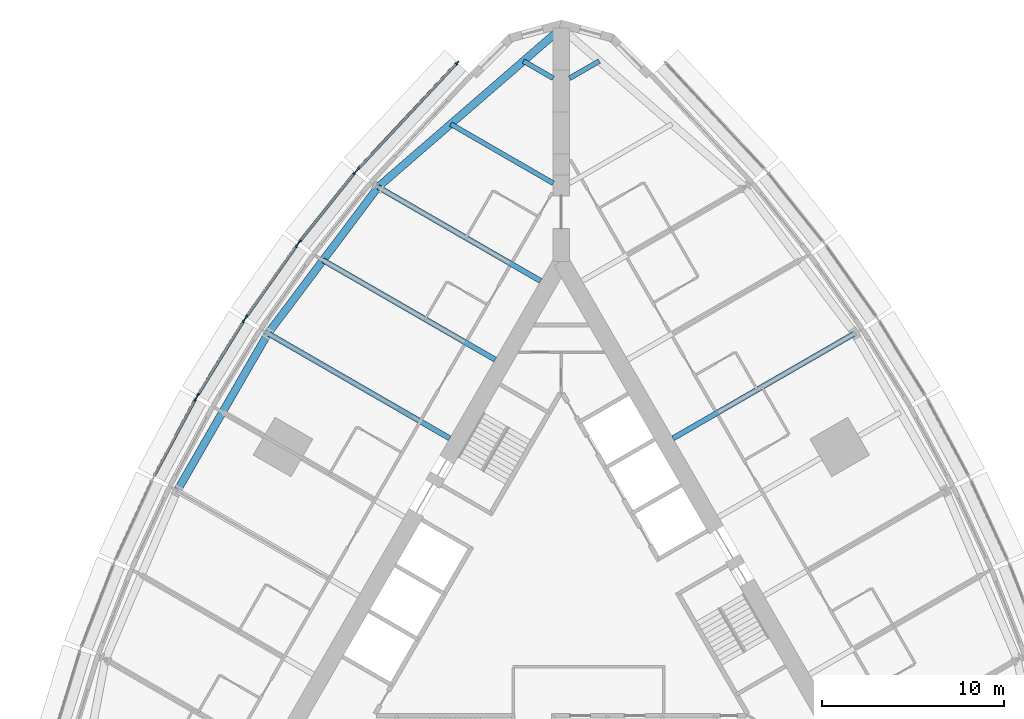
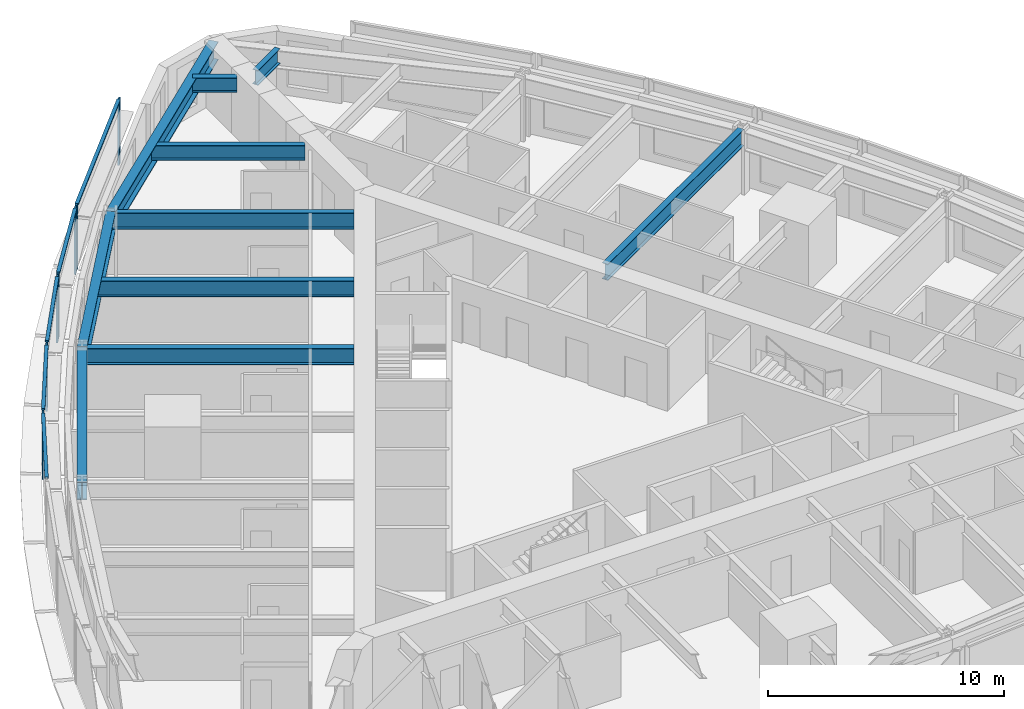
# One storey, part 4 of 14: 14 members, 10 beams, 5 elements without a shape of their own.
"""IFC4 building model written with IfcOpenShell, lengths in metres."""

import ifcopenshell
import ifcopenshell.guid

model = None  # the IFC model being written
_history = None  # IfcOwnerHistory: only IFC2X3 demands one
_inside = {}  # id of a spatial element -> (the spatial element, [elements in it])
_under = {}  # id of a project, library or spatial element -> (it, [spatial elements below it])
_declared = {}  # id of a project -> (the project, [libraries it declares])
_typed = {}  # id of a type object -> (the type object, [elements of that type])
_made_of = {}  # id of a material, layer set ... -> (it, [elements and type objects made of it])


def new_model(schema):
    """Start an empty IFC model of exactly this schema.

    Asked for "IFC4X3", IfcOpenShell would pick the latest addendum, in which some entities
    have other attributes; the version numbers below select the first issue.
    IFC2X3 requires an IfcOwnerHistory on every rooted entity: one is made here for all.
    """
    global model, _history
    if schema == "IFC4X3":
        model = ifcopenshell.file(schema_version=(4, 3, 0, 0))
    else:
        model = ifcopenshell.file(schema=schema)
    _inside.clear()
    _under.clear()
    _declared.clear()
    _typed.clear()
    _made_of.clear()
    _history = None
    if model.schema == "IFC2X3":
        org = make("IfcOrganization", Name="unknown")
        user = make(
            "IfcPersonAndOrganization",
            ThePerson=make("IfcPerson", FamilyName="unknown"),
            TheOrganization=org,
        )
        app = make(
            "IfcApplication",
            ApplicationDeveloper=org,
            Version="unknown",
            ApplicationFullName="unknown",
            ApplicationIdentifier="unknown",
        )
        _history = make(
            "IfcOwnerHistory",
            OwningUser=user,
            OwningApplication=app,
            ChangeAction="ADDED",
            CreationDate=0,
        )
    return model


def make(cls, **values):
    """One entity of the class cls with the attributes given. An attribute that is None is left unset."""
    return model.create_entity(
        cls, **{name: value for name, value in values.items() if value is not None}
    )


def rooted(cls, **values):
    """An entity with a GlobalId (a new one), such as an element, a storey or a relation."""
    return make(cls, GlobalId=ifcopenshell.guid.new(), OwnerHistory=_history, **values)


def si_unit(unit_type, name, prefix=None):
    """IfcSIUnit, for example si_unit("LENGTHUNIT", "METRE", prefix="MILLI")."""
    return make("IfcSIUnit", UnitType=unit_type, Prefix=prefix, Name=name)


def assignment(units):
    """IfcUnitAssignment: the units of a project."""
    return None if units is None else make("IfcUnitAssignment", Units=units)


def point(xyz):
    """IfcCartesianPoint."""
    return None if xyz is None else make("IfcCartesianPoint", Coordinates=xyz)


def direction(xyz):
    """IfcDirection."""
    return None if xyz is None else make("IfcDirection", DirectionRatios=xyz)


def frame(location, z_axis=None, x_axis=None):
    """IfcAxis2Placement3D, a coordinate frame: its origin and axes. An axis left out is left unset."""
    return make(
        "IfcAxis2Placement3D",
        Location=point(location),
        Axis=direction(z_axis),
        RefDirection=direction(x_axis),
    )


def frame_2d(location, x_axis=None):
    """IfcAxis2Placement2D, a coordinate frame in the plane: its origin and x axis."""
    return make(
        "IfcAxis2Placement2D", Location=point(location), RefDirection=direction(x_axis)
    )


def origin():
    """The frame at (0, 0, 0) with its axes left unset."""
    return frame((0.0, 0.0, 0.0))


def origin_2d():
    """The frame at (0, 0) in the plane with its x axis left unset."""
    return frame_2d((0.0, 0.0))


def place(relative_to, where):
    """IfcLocalPlacement: puts the frame where relative to a parent placement (None: the world)."""
    return make(
        "IfcLocalPlacement", PlacementRelTo=relative_to, RelativePlacement=where
    )


def context(
    kind, dimensions, precision=None, world=None, true_north=None, identifier=None
):
    """IfcGeometricRepresentationContext, for example the 3D "Model" context."""
    return make(
        "IfcGeometricRepresentationContext",
        ContextIdentifier=identifier,
        ContextType=kind,
        CoordinateSpaceDimension=dimensions,
        Precision=precision,
        WorldCoordinateSystem=world,
        TrueNorth=true_north,
    )


def subcontext(parent, identifier, kind, view, scale=None):
    """IfcGeometricRepresentationSubContext, for example "Body" below "Model"."""
    return make(
        "IfcGeometricRepresentationSubContext",
        ContextIdentifier=identifier,
        ContextType=kind,
        ParentContext=parent,
        TargetScale=scale,
        TargetView=view,
    )


def project(units=None, contexts=None):
    """IfcProject with its units and contexts."""
    return rooted(
        "IfcProject",
        Name="project",
        RepresentationContexts=contexts,
        UnitsInContext=assignment(units),
    )


def spatial(cls, under=None, at=None, **own):
    """A site, building, storey or space (cls), placed at a placement, below another one or the project."""
    s = rooted(cls, ObjectPlacement=at, **own)
    if under is not None:
        _under.setdefault(under.id(), (under, []))[1].append(s)
    return s


def profile(cls, at=None, kind="AREA", **sizes):
    """A parametric profile (cls). Its sizes go by their IFC names, for example OverallWidth=200.0."""
    return make(cls, ProfileType=kind, Position=at, **sizes)


def rectangle(**sizes):
    """IfcRectangleProfileDef."""
    return profile("IfcRectangleProfileDef", **sizes)


def i_section(**sizes):
    """IfcIShapeProfileDef."""
    return profile("IfcIShapeProfileDef", **sizes)


def extrude(swept, where, along, depth):
    """IfcExtrudedAreaSolid: the profile swept, set in the frame where, extruded along a direction by depth."""
    return make(
        "IfcExtrudedAreaSolid",
        SweptArea=swept,
        Position=where,
        ExtrudedDirection=direction(along),
        Depth=depth,
    )


def shape(context_of_items, identifier, shape_type, items):
    """IfcShapeRepresentation: the items that make up one representation, for example the "Body"."""
    return make(
        "IfcShapeRepresentation",
        ContextOfItems=context_of_items,
        RepresentationIdentifier=identifier,
        RepresentationType=shape_type,
        Items=items,
    )


def material(Name=None, Category=None):
    """IfcMaterial."""
    return make("IfcMaterial", Name=Name, Category=Category)


def material_profile(
    of_material, cross_section, Name=None, Category=None, Priority=None
):
    """IfcMaterialProfile: a cross section and its material."""
    return make(
        "IfcMaterialProfile",
        Name=Name,
        Material=of_material,
        Profile=cross_section,
        Priority=Priority,
        Category=Category,
    )


def profile_set(profiles, Name=None, composite=None):
    """IfcMaterialProfileSet."""
    return make(
        "IfcMaterialProfileSet",
        Name=Name,
        MaterialProfiles=profiles,
        CompositeProfile=composite,
    )


def made_of(thing, what):
    """Note that an element or type object is made of a material, layer set ...; save() writes the relation."""
    if what is not None:
        _made_of.setdefault(what.id(), (what, []))[1].append(thing)
    return thing


def type_object(cls, material=None, **own):
    """A type object (cls), such as IfcWallType, which elements share."""
    return made_of(rooted(cls, **own), material)


def element(
    cls,
    number,
    at=None,
    inside=None,
    cuts=None,
    type_object=None,
    material=None,
    context=None,
    identifier="Body",
    shape_type=None,
    held_by="IfcProductDefinitionShape",
    body=None,
    shapes=None,
    **own,
):
    """One element of the class cls, such as IfcWall. Its Tag is "e" and its number.

    at: its placement. inside: the storey or other place that contains it. cuts: it is an
    opening in that element (IfcRelVoidsElement). A single representation is given by context,
    identifier, shape_type and body (its items); several are given by shapes. held_by: the class
    of the entity that holds the representations. save() writes the other relations.
    """
    e = rooted(cls, Tag="e%d" % number, ObjectPlacement=at, **own)
    if body is not None:
        shapes = [shape(context, identifier, shape_type, body)]
    if shapes is not None:
        e.Representation = make(held_by, Representations=shapes)
    if inside is not None:
        _inside.setdefault(inside.id(), (inside, []))[1].append(e)
    if cuts is not None:
        rooted(
            "IfcRelVoidsElement", RelatingBuildingElement=cuts, RelatedOpeningElement=e
        )
    if type_object is not None:
        _typed.setdefault(type_object.id(), (type_object, []))[1].append(e)
    return made_of(e, material)


def aggregate(whole, parts):
    """IfcRelAggregates: a whole, such as a stair, and the parts it consists of."""
    return rooted("IfcRelAggregates", RelatingObject=whole, RelatedObjects=parts)


def save(model, path):
    """Write the relations noted so far, then the file.

    IfcRelAggregates (storeys below a building ...), IfcRelContainedInSpatialStructure (elements
    in a storey), IfcRelDefinesByType, IfcRelAssociatesMaterial and IfcRelDeclares: one each for
    every whole, place, type object, material and project.
    """
    for whole, parts in _under.values():
        aggregate(whole, parts)
    for where, things in _inside.values():
        rooted(
            "IfcRelContainedInSpatialStructure",
            RelatedElements=things,
            RelatingStructure=where,
        )
    for kind, things in _typed.values():
        rooted("IfcRelDefinesByType", RelatedObjects=things, RelatingType=kind)
    for what, things in _made_of.values():
        rooted("IfcRelAssociatesMaterial", RelatedObjects=things, RelatingMaterial=what)
    for by, libraries in _declared.values():
        rooted("IfcRelDeclares", RelatingContext=by, RelatedDefinitions=libraries)
    model.write(path)


model = new_model("IFC4")

# Units and contexts
model_context = context("Model", 3, precision=1e-05, world=origin(), true_north=direction((0.0, 1.0)))
body_context = subcontext(model_context, "Body", "Model", "MODEL_VIEW")
ifc_project = project(units=[si_unit("LENGTHUNIT", "METRE"), si_unit("AREAUNIT", "SQUARE_METRE"), si_unit("VOLUMEUNIT", "CUBIC_METRE"), si_unit("PLANEANGLEUNIT", "RADIAN"), si_unit("MASSUNIT", "GRAM", prefix="KILO")], contexts=[model_context])

# Site, building, storey
site_placement = place(None, origin())
site = spatial("IfcSite", under=ifc_project, at=site_placement, CompositionType="ELEMENT")
building_placement = place(site_placement, origin())
building = spatial("IfcBuilding", under=site, at=building_placement, Name="Trikona Tower", CompositionType="ELEMENT")
storey_placement = place(building_placement, frame((0.0, 0.0, 45.5)))
storey = spatial("IfcBuildingStorey", under=building, at=storey_placement, Name="L10", CompositionType="ELEMENT", Elevation=45.5)

# Curtain wall, members
ifc_material_1 = material(Name="Aluminium curtain wall system", Category="aluminium")
curtain_wall_type = type_object("IfcCurtainWallType", Name="Curtain wall DS1", PredefinedType="NOTDEFINED", material=ifc_material_1)
curtain_wall_1_placement = place(storey_placement, origin())
curtain_wall_1 = element("IfcCurtainWall", 1, at=curtain_wall_1_placement, inside=storey, type_object=curtain_wall_type, Name="Curtain wall DS1 L10", PredefinedType="NOTDEFINED")
ifc_material_2 = material(Name="Aluminium mullion, pale anodised", Category="aluminium")
ifc_material_profile_1 = material_profile(ifc_material_2, rectangle(XDim=0.080078125, YDim=0.219970703125, at=origin_2d()), Name="MUL-DS1")
ifc_profile_set_1 = profile_set([ifc_material_profile_1], Name="Aluminium mullion, pale anodised")
member_type_1 = type_object("IfcMemberType", Name="Mullion DS1 80x220", PredefinedType="MULLION", material=ifc_profile_set_1)
member_1_placement = place(storey_placement, frame((-5.72607421875, 29.98583984375, 0.0), z_axis=(0.0, 0.0, 1.0), x_axis=(0.731076639405, -0.682295351967, 0.0)))
member_1 = element("IfcMember", 2, at=member_1_placement, type_object=member_type_1, Name="CW-DS1 mullion 1", PredefinedType="MULLION", context=body_context, shape_type="SweptSolid", body=[
    extrude(rectangle(XDim=0.080078125, YDim=0.219970703125, at=origin_2d()), origin(), (0.0, 0.0, 1.0), 3.39990234375),
])
member_2_placement = place(storey_placement, frame((-11.192138671875, 24.129150390625, 0.0), z_axis=(0.0, 0.0, 1.0), x_axis=(0.731076639405, -0.682295351967, 0.0)))
member_2 = element("IfcMember", 3, at=member_2_placement, type_object=member_type_1, Name="CW-DS1 mullion 2", PredefinedType="MULLION", context=body_context, shape_type="SweptSolid", body=[
    extrude(rectangle(XDim=0.080078125, YDim=0.219970703125, at=origin_2d()), origin(), (0.0, 0.0, 1.0), 3.39990234375),
])

curtain_wall_2_placement = place(storey_placement, origin())
curtain_wall_2 = element("IfcCurtainWall", 4, at=curtain_wall_2_placement, inside=storey, type_object=curtain_wall_type, Name="Curtain wall DS1 L10", PredefinedType="NOTDEFINED")
member_3_placement = place(storey_placement, frame((-11.36767578125, 23.926025390625, 0.0), z_axis=(0.0, 0.0, 1.0), x_axis=(0.780937959679, -0.624608599951, 0.0)))
member_3 = element("IfcMember", 5, at=member_3_placement, type_object=member_type_1, Name="CW-DS1 mullion 1", PredefinedType="MULLION", context=body_context, shape_type="SweptSolid", body=[
    extrude(rectangle(XDim=0.080078125, YDim=0.219970703125, at=origin_2d()), origin(), (0.0, 0.0, 1.0), 3.39990234375),
])
member_4_placement = place(storey_placement, frame((-14.40185546875, 20.13232421875, 0.0), z_axis=(0.0, 0.0, 1.0), x_axis=(0.780937959679, -0.624608599951, 0.0)))
member_4 = element("IfcMember", 6, at=member_4_placement, type_object=member_type_1, Name="CW-DS1 mullion 2", PredefinedType="MULLION", context=body_context, shape_type="SweptSolid", body=[
    extrude(rectangle(XDim=0.080078125, YDim=0.219970703125, at=origin_2d()), origin(), (0.0, 0.0, 1.0), 3.39990234375),
])

curtain_wall_3_placement = place(storey_placement, origin())
curtain_wall_3 = element("IfcCurtainWall", 7, at=curtain_wall_3_placement, inside=storey, type_object=curtain_wall_type, Name="Curtain wall DS1 L10", PredefinedType="NOTDEFINED")
member_5_placement = place(storey_placement, frame((-14.554443359375, 19.929443359375, 0.0), z_axis=(0.0, 0.0, 1.0), x_axis=(0.816985393055, -0.576658362928, 0.0)))
member_5 = element("IfcMember", 8, at=member_5_placement, type_object=member_type_1, Name="CW-DS1 mullion 1", PredefinedType="MULLION", context=body_context, shape_type="SweptSolid", body=[
    extrude(rectangle(XDim=0.080078125, YDim=0.219970703125, at=origin_2d()), origin(), (0.0, 0.0, 1.0), 3.39990234375),
])
member_6_placement = place(storey_placement, frame((-17.33447265625, 15.990966796875, 0.0), z_axis=(0.0, 0.0, 1.0), x_axis=(0.816985393055, -0.576658362928, 0.0)))
member_6 = element("IfcMember", 9, at=member_6_placement, type_object=member_type_1, Name="CW-DS1 mullion 2", PredefinedType="MULLION", context=body_context, shape_type="SweptSolid", body=[
    extrude(rectangle(XDim=0.080078125, YDim=0.219970703125, at=origin_2d()), origin(), (0.0, 0.0, 1.0), 3.39990234375),
])

curtain_wall_4_placement = place(storey_placement, origin())
curtain_wall_4 = element("IfcCurtainWall", 10, at=curtain_wall_4_placement, inside=storey, type_object=curtain_wall_type, Name="Curtain wall DS1 L10", PredefinedType="NOTDEFINED")
member_7_placement = place(storey_placement, frame((-17.474853515625, 15.77880859375, 0.0), z_axis=(0.0, 0.0, 1.0), x_axis=(0.850410468941, -0.526119790842, 0.0)))
member_7 = element("IfcMember", 11, at=member_7_placement, type_object=member_type_1, Name="CW-DS1 mullion 1", PredefinedType="MULLION", context=body_context, shape_type="SweptSolid", body=[
    extrude(rectangle(XDim=0.080078125, YDim=0.219970703125, at=origin_2d()), origin(), (0.0, 0.0, 1.0), 3.39990234375),
])
member_8_placement = place(storey_placement, frame((-20.00146484375, 11.69482421875, 0.0), z_axis=(0.0, 0.0, 1.0), x_axis=(0.850410468941, -0.526119790842, 0.0)))
member_8 = element("IfcMember", 12, at=member_8_placement, type_object=member_type_1, Name="CW-DS1 mullion 2", PredefinedType="MULLION", context=body_context, shape_type="SweptSolid", body=[
    extrude(rectangle(XDim=0.080078125, YDim=0.219970703125, at=origin_2d()), origin(), (0.0, 0.0, 1.0), 3.39990234375),
])

# Curtain wall, member
curtain_wall_5_placement = place(storey_placement, origin())
curtain_wall_5 = element("IfcCurtainWall", 13, at=curtain_wall_5_placement, inside=storey, type_object=curtain_wall_type, Name="Curtain wall DS1 L10", PredefinedType="NOTDEFINED")
member_9_placement = place(storey_placement, frame((-20.128662109375, 11.474365234375, 0.0), z_axis=(0.0, 0.0, 1.0), x_axis=(0.880843080975, -0.473408350896, 0.0)))
member_9 = element("IfcMember", 14, at=member_9_placement, type_object=member_type_1, Name="CW-DS1 mullion 1", PredefinedType="MULLION", context=body_context, shape_type="SweptSolid", body=[
    extrude(rectangle(XDim=0.080078125, YDim=0.219970703125, at=origin_2d()), origin(), (0.0, 0.0, 1.0), 3.39990234375),
])

# Beams
ifc_material_3 = material(Name="Steel ASTM A992 Grade 50", Category="steel")
ifc_material_profile_2 = material_profile(ifc_material_3, i_section(OverallWidth=0.2666015625, OverallDepth=0.76953125, WebThickness=0.015625, FlangeThickness=0.025390625, at=origin_2d()), Name="W30X132")
ifc_profile_set_2 = profile_set([ifc_material_profile_2], Name="Steel ASTM A992 Grade 50")
beam_type_1 = type_object("IfcBeamType", Name="Steel beam W30x132 (wedge)", PredefinedType="BEAM", material=ifc_profile_set_2)
for number, where, z_axis, x_axis, name in (
    (15, (0.449951171875, 29.127197265625, 2.85009765625), (0.866009237431, 0.5000279999, 0.0), (-0.5000279999, 0.866009237431, 0.0), "Floor beam L11 F2 u25"),
    (16, (-0.449951171875, 29.127197265625, 2.85009765625), (-0.866009237431, 0.5000279999, 0.0), (-0.5000279999, -0.866009237431, 0.0), "Floor beam L11 F3 u-25"),
):
    element("IfcBeam", number, at=place(storey_placement, frame(where, z_axis=z_axis, x_axis=x_axis)), inside=storey, type_object=beam_type_1, Name=name, PredefinedType="BEAM", context=body_context, shape_type="SweptSolid", body=[
        extrude(i_section(OverallWidth=0.2666015625, OverallDepth=0.76953125, WebThickness=0.015625, FlangeThickness=0.025390625, at=origin_2d()), origin(), (0.0, 0.0, 1.0), 1.890625),
    ])
beam_1_placement = place(storey_placement, frame((-0.449951171875, 23.353759765625, 2.85009765625), z_axis=(-0.866022504693, 0.50000502134, 0.0), x_axis=(-0.50000502134, -0.866022504693, 0.0)))
element("IfcBeam", 17, at=beam_1_placement, inside=storey, type_object=beam_type_1, Name="Floor beam L11 F3 u-20", PredefinedType="BEAM", context=body_context, shape_type="SweptSolid", body=[
    extrude(i_section(OverallWidth=0.2666015625, OverallDepth=0.76953125, WebThickness=0.015625, FlangeThickness=0.025390625, at=origin_2d()), origin(), (0.0, 0.0, 1.0), 6.5068359375),
])
ifc_material_4 = material(Name="Steel ASTM A992 Grade 50", Category="steel")
ifc_material_profile_3 = material_profile(ifc_material_4, i_section(OverallWidth=0.2919921875, OverallDepth=0.845703125, WebThickness=0.015380859375, FlangeThickness=0.0244140625, at=origin_2d()), Name="W33X141")
ifc_profile_set_3 = profile_set([ifc_material_profile_3], Name="Steel ASTM A992 Grade 50")
beam_type_2 = type_object("IfcBeamType", Name="Steel beam W33x141 (radial typ)", PredefinedType="BEAM", material=ifc_profile_set_3)
beam_2_placement = place(storey_placement, frame((6.1396484375, 9.318359375, 2.81201171875), z_axis=(0.866029923217, 0.499992172032, 0.0), x_axis=(-0.499992172032, 0.866029923217, 0.0)))
element("IfcBeam", 18, at=beam_2_placement, inside=storey, type_object=beam_type_2, Name="Floor beam L11 F2 u5", PredefinedType="BEAM", context=body_context, shape_type="SweptSolid", body=[
    extrude(i_section(OverallWidth=0.2919921875, OverallDepth=0.845703125, WebThickness=0.015380859375, FlangeThickness=0.0244140625, at=origin_2d()), origin(), (0.0, 0.0, 1.0), 11.544189453125),
])
beam_3_placement = place(storey_placement, frame((-1.1396484375, 17.978515625, 2.81201171875), z_axis=(-0.866030471684, 0.499991222037, 0.0), x_axis=(-0.499991222037, -0.866030471684, 0.0)))
element("IfcBeam", 19, at=beam_3_placement, inside=storey, type_object=beam_type_2, Name="Floor beam L11 F3 u-15", PredefinedType="BEAM", context=body_context, shape_type="SweptSolid", body=[
    extrude(i_section(OverallWidth=0.2919921875, OverallDepth=0.845703125, WebThickness=0.015380859375, FlangeThickness=0.0244140625, at=origin_2d()), origin(), (0.0, 0.0, 1.0), 10.326904296875),
])
beam_4_placement = place(storey_placement, frame((-3.6396484375, 13.6484375, 2.81201171875), z_axis=(-0.866025348605, 0.500000095573, 0.0), x_axis=(-0.500000095573, -0.866025348605, 0.0)))
element("IfcBeam", 20, at=beam_4_placement, inside=storey, type_object=beam_type_2, Name="Floor beam L11 F3 u-10", PredefinedType="BEAM", context=body_context, shape_type="SweptSolid", body=[
    extrude(i_section(OverallWidth=0.2919921875, OverallDepth=0.845703125, WebThickness=0.015380859375, FlangeThickness=0.0244140625, at=origin_2d()), origin(), (0.0, 0.0, 1.0), 10.935546875),
])
beam_5_placement = place(storey_placement, frame((-6.1396484375, 9.318359375, 2.81201171875), z_axis=(-0.866029923217, 0.499992172032, 0.0), x_axis=(-0.499992172032, -0.866029923217, 0.0)))
element("IfcBeam", 21, at=beam_5_placement, inside=storey, type_object=beam_type_2, Name="Floor beam L11 F3 u-5", PredefinedType="BEAM", context=body_context, shape_type="SweptSolid", body=[
    extrude(i_section(OverallWidth=0.2919921875, OverallDepth=0.845703125, WebThickness=0.015380859375, FlangeThickness=0.0244140625, at=origin_2d()), origin(), (0.0, 0.0, 1.0), 11.544189453125),
])
ifc_material_5 = material(Name="Steel ASTM A992 Grade 50", Category="steel")
ifc_material_profile_4 = material_profile(ifc_material_5, i_section(OverallWidth=0.424072265625, OverallDepth=0.947509765625, WebThickness=0.02392578125, FlangeThickness=0.042724609375, at=origin_2d()), Name="W36X302")
ifc_profile_set_4 = profile_set([ifc_material_profile_4], Name="Steel ASTM A992 Grade 50")
beam_type_3 = type_object("IfcBeamType", Name="Steel beam W36x302 (spandrel)", PredefinedType="SPANDREL", material=ifc_profile_set_4)
beam_6_placement = place(storey_placement, frame((0.0, 31.881591796875, 2.76123046875), z_axis=(-0.755646822726, -0.654979296851, 0.0), x_axis=(0.654979296851, -0.755646822726, 0.0)))
element("IfcBeam", 22, at=beam_6_placement, inside=storey, type_object=beam_type_3, Name="Spandrel beam L11 F3-1", PredefinedType="SPANDREL", context=body_context, shape_type="SweptSolid", body=[
    extrude(i_section(OverallWidth=0.424072265625, OverallDepth=0.947509765625, WebThickness=0.02392578125, FlangeThickness=0.042724609375, at=origin_2d()), origin(), (0.0, 0.0, 1.0), 13.343505859375),
])
beam_7_placement = place(storey_placement, frame((-10.0830078125, 23.141845703125, 2.76123046875), z_axis=(-0.600988344191, -0.799257787042, 0.0), x_axis=(0.799257787042, -0.600988344191, 0.0)))
element("IfcBeam", 23, at=beam_7_placement, inside=storey, type_object=beam_type_3, Name="Spandrel beam L11 F3-2", PredefinedType="SPANDREL", context=body_context, shape_type="SweptSolid", body=[
    extrude(i_section(OverallWidth=0.424072265625, OverallDepth=0.947509765625, WebThickness=0.02392578125, FlangeThickness=0.042724609375, at=origin_2d()), origin(), (0.0, 0.0, 1.0), 10.07373046875),
])
beam_8_placement = place(storey_placement, frame((-16.13720703125, 15.09033203125, 2.76123046875), z_axis=(-0.500004234368, -0.866022959057, 0.0), x_axis=(0.866022959057, -0.500004234368, 0.0)))
element("IfcBeam", 24, at=beam_8_placement, inside=storey, type_object=beam_type_3, Name="Spandrel beam L11 F3-3", PredefinedType="SPANDREL", context=body_context, shape_type="SweptSolid", body=[
    extrude(i_section(OverallWidth=0.424072265625, OverallDepth=0.947509765625, WebThickness=0.02392578125, FlangeThickness=0.042724609375, at=origin_2d()), origin(), (0.0, 0.0, 1.0), 10.0),
])

# Member
ifc_material_6 = material(Name="Aluminium transom, pale anodised", Category="aluminium")
ifc_material_profile_5 = material_profile(ifc_material_6, rectangle(XDim=0.159912109375, YDim=0.080078125, at=origin_2d()), Name="TRN-DS1")
ifc_profile_set_5 = profile_set([ifc_material_profile_5], Name="Aluminium transom, pale anodised")
member_type_2 = type_object("IfcMemberType", Name="Transom DS1 80x160", PredefinedType="USERDEFINED", material=ifc_profile_set_5)
member_10_placement = place(storey_placement, frame((-5.75341796875, 29.95654296875, 3.360107421875), z_axis=(-0.682290830921, -0.731080858758, 0.0), x_axis=(0.731080858758, -0.682290830921, 0.0)))
member_10 = element("IfcMember", 25, at=member_10_placement, type_object=member_type_2, Name="CW-DS1 transom 1.1", ObjectType="TRANSOM", PredefinedType="USERDEFINED", context=body_context, shape_type="SweptSolid", body=[
    extrude(rectangle(XDim=0.159912109375, YDim=0.080078125, at=origin_2d()), origin(), (0.0, 0.0, 1.0), 7.93115234375),
])

aggregate(curtain_wall_1, [member_1, member_2, member_10])

member_11_placement = place(storey_placement, frame((-11.392822265625, 23.894775390625, 3.360107421875), z_axis=(-0.624589103832, -0.780953552636, 0.0), x_axis=(0.780953552636, -0.624589103832, 0.0)))
member_11 = element("IfcMember", 26, at=member_11_placement, type_object=member_type_2, Name="CW-DS1 transom 1.1", ObjectType="TRANSOM", PredefinedType="USERDEFINED", context=body_context, shape_type="SweptSolid", body=[
    extrude(rectangle(XDim=0.159912109375, YDim=0.080078125, at=origin_2d()), origin(), (0.0, 0.0, 1.0), 4.77783203125),
])

aggregate(curtain_wall_2, [member_3, member_4, member_11])

member_12_placement = place(storey_placement, frame((-14.57763671875, 19.896728515625, 3.360107421875), z_axis=(-0.57664478015, -0.816994980111, 0.0), x_axis=(0.816994980111, -0.57664478015, 0.0)))
member_12 = element("IfcMember", 27, at=member_12_placement, type_object=member_type_2, Name="CW-DS1 transom 1.1", ObjectType="TRANSOM", PredefinedType="USERDEFINED", context=body_context, shape_type="SweptSolid", body=[
    extrude(rectangle(XDim=0.159912109375, YDim=0.080078125, at=origin_2d()), origin(), (0.0, 0.0, 1.0), 4.740478515625),
])

aggregate(curtain_wall_3, [member_5, member_6, member_12])

member_13_placement = place(storey_placement, frame((-17.495849609375, 15.744873046875, 3.360107421875), z_axis=(-0.526080502257, -0.850434774186, 0.0), x_axis=(0.850434774186, -0.526080502257, 0.0)))
member_13 = element("IfcMember", 28, at=member_13_placement, type_object=member_type_2, Name="CW-DS1 transom 1.1", ObjectType="TRANSOM", PredefinedType="USERDEFINED", context=body_context, shape_type="SweptSolid", body=[
    extrude(rectangle(XDim=0.159912109375, YDim=0.080078125, at=origin_2d()), origin(), (0.0, 0.0, 1.0), 4.722412109375),
])

aggregate(curtain_wall_4, [member_7, member_8, member_13])

member_14_placement = place(storey_placement, frame((-20.147705078125, 11.43896484375, 3.360107421875), z_axis=(-0.473427569755, -0.880832751546, 0.0), x_axis=(0.880832751546, -0.473427569755, 0.0)))
member_14 = element("IfcMember", 29, at=member_14_placement, type_object=member_type_2, Name="CW-DS1 transom 1.1", ObjectType="TRANSOM", PredefinedType="USERDEFINED", context=body_context, shape_type="SweptSolid", body=[
    extrude(rectangle(XDim=0.159912109375, YDim=0.080078125, at=origin_2d()), origin(), (0.0, 0.0, 1.0), 4.72216796875),
])

aggregate(curtain_wall_5, [member_9, member_14])

save(model, "model.ifc")
